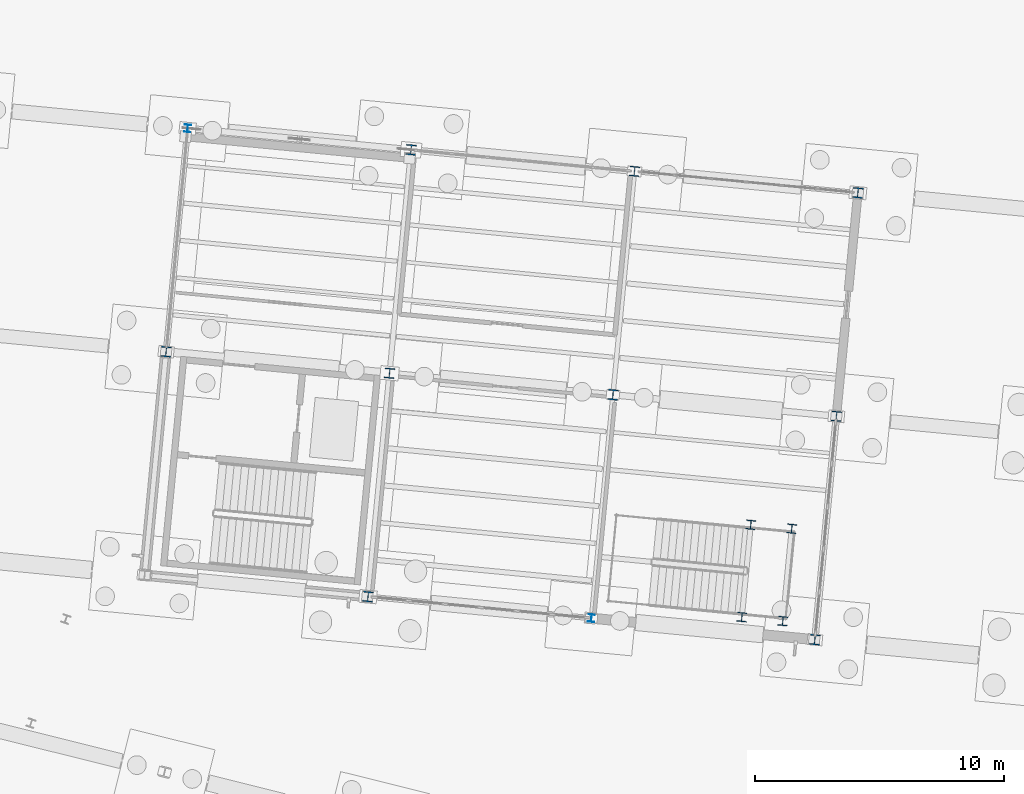
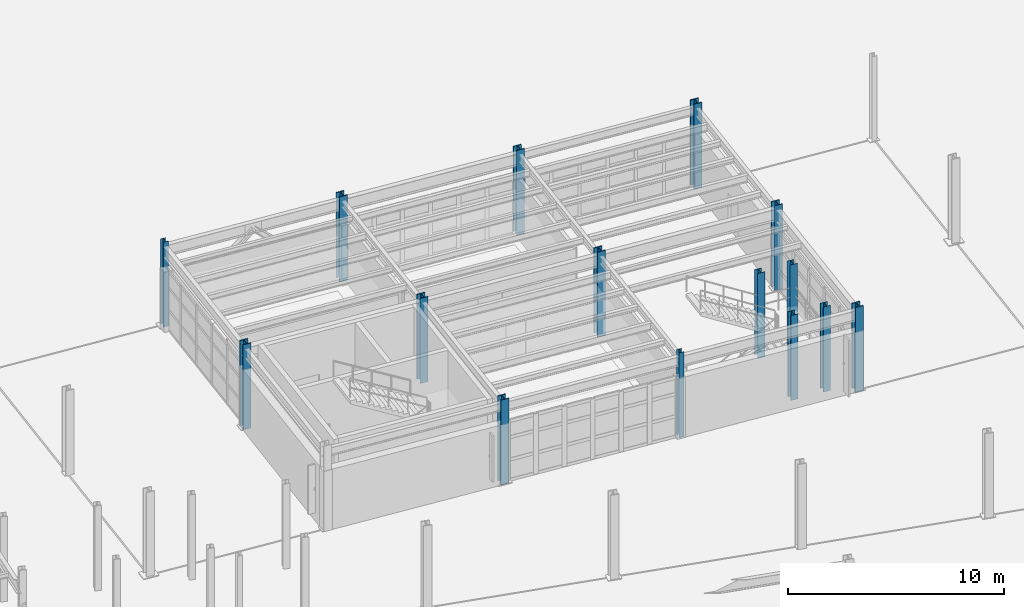
# One storey, part 25 of 108: 15 columns.
"""IFC4 building model written with IfcOpenShell, lengths in metres."""

from ifc_helpers import new_model, si_unit, direction, frame, origin, origin_2d, place, context, subcontext, project, spatial, i_section, extrude, material, material_profile, profile_set, type_object, element, save


model = new_model("IFC4")

# Units and contexts
model_context = context("Model", 3, precision=1e-05, world=origin(), true_north=direction((0.0, 1.0)))
body_context = subcontext(model_context, "Body", "Model", "MODEL_VIEW")
ifc_project = project(units=[si_unit("LENGTHUNIT", "METRE"), si_unit("AREAUNIT", "SQUARE_METRE"), si_unit("VOLUMEUNIT", "CUBIC_METRE"), si_unit("PLANEANGLEUNIT", "RADIAN"), si_unit("MASSUNIT", "GRAM", prefix="KILO")], contexts=[model_context])

# Site, building, storey
site_placement = place(None, origin())
site = spatial("IfcSite", under=ifc_project, at=site_placement, CompositionType="ELEMENT")
building_placement = place(site_placement, origin())
building = spatial("IfcBuilding", under=site, at=building_placement, Name="Vireo Bluff Cable Station", CompositionType="ELEMENT")
storey_placement = place(building_placement, origin())
storey = spatial("IfcBuildingStorey", under=building, at=storey_placement, Name="L00", CompositionType="ELEMENT", Elevation=0.0)

# Columns
ifc_material = material(Name="Steel ASTM A992 Gr. 50", Category="steel")
ifc_material_profile_1 = material_profile(ifc_material, i_section(OverallWidth=0.404052734375, OverallDepth=0.406005859375, WebThickness=0.027099609375, FlangeThickness=0.043701171875, FilletRadius=0.014892578125, at=origin_2d()), Name="W14X233")
ifc_profile_set_1 = profile_set([ifc_material_profile_1], Name="Steel ASTM A992 Gr. 50")
column_type_1 = type_object("IfcColumnType", Name="COL-W14X233", PredefinedType="COLUMN", material=ifc_profile_set_1)
column_1_placement = place(storey_placement, frame((77.559326171875, 75.099853515625, 0.0), z_axis=(0.0, 0.0, 1.0), x_axis=(0.995396198367, -0.09584575252, 0.0)))
element("IfcColumn", 1, at=column_1_placement, inside=storey, type_object=column_type_1, Name="V3 L00 column 213", PredefinedType="COLUMN", context=body_context, shape_type="SweptSolid", body=[
    extrude(i_section(OverallWidth=0.404052734375, OverallDepth=0.406005859375, WebThickness=0.027099609375, FlangeThickness=0.043701171875, FilletRadius=0.014892578125, at=origin_2d()), origin(), (0.0, 0.0, 1.0), 4.800048828125),
])
ifc_material_profile_2 = material_profile(ifc_material, i_section(OverallWidth=0.408935546875, OverallDepth=0.424072265625, WebThickness=0.03271484375, FlangeThickness=0.052490234375, FilletRadius=0.014892578125, at=origin_2d()), Name="W14X283")
ifc_profile_set_2 = profile_set([ifc_material_profile_2], Name="Steel ASTM A992 Gr. 50")
column_type_2 = type_object("IfcColumnType", Name="COL-W14X283", PredefinedType="COLUMN", material=ifc_profile_set_2)
column_2_placement = place(storey_placement, frame((86.517822265625, 74.2373046875, 0.0), z_axis=(0.0, 0.0, 1.0), x_axis=(0.995396198367, -0.09584575252, 0.0)))
element("IfcColumn", 2, at=column_2_placement, inside=storey, type_object=column_type_2, Name="V3 L00 column 222", PredefinedType="COLUMN", context=body_context, shape_type="SweptSolid", body=[
    extrude(i_section(OverallWidth=0.408935546875, OverallDepth=0.424072265625, WebThickness=0.03271484375, FlangeThickness=0.052490234375, FilletRadius=0.014892578125, at=origin_2d()), origin(), (0.0, 0.0, 1.0), 4.800048828125),
])
ifc_material_profile_3 = material_profile(ifc_material, i_section(OverallWidth=0.367919921875, OverallDepth=0.35595703125, WebThickness=0.01123046875, FlangeThickness=0.01806640625, FilletRadius=0.014892578125, at=origin_2d()), Name="W14X90")
ifc_profile_set_3 = profile_set([ifc_material_profile_3], Name="Steel ASTM A992 Gr. 50")
column_type_3 = type_object("IfcColumnType", Name="COL-W14X90", PredefinedType="COLUMN", material=ifc_profile_set_3)
for number, where, z_axis, x_axis, name in (
    (3, (91.68701171875, 65.32080078125, 0.0), (0.0, 0.0, 1.0), (0.995396198367, -0.09584575252, 0.0), "ST-11 L00 landing support column 1"),
    (4, (93.329345703125, 65.16259765625, 0.0), (0.0, 0.0, 1.0), (0.995396198367, -0.09584575252, 0.0), "ST-11 L00 landing support column 2"),
    (5, (92.04345703125, 69.023681640625, 0.0), (0.0, 0.0, 1.0), (0.995396198367, -0.09584575252, 0.0), "ST-11 L00 landing support column 3"),
    (6, (93.68603515625, 68.865478515625, 0.0), (0.0, 0.0, 1.0), (0.995396198367, -0.09584575252, 0.0), "ST-11 L00 landing support column 4"),
):
    element("IfcColumn", number, at=place(storey_placement, frame(where, z_axis=z_axis, x_axis=x_axis)), inside=storey, type_object=column_type_3, Name=name, PredefinedType="COLUMN", context=body_context, shape_type="SweptSolid", body=[
        extrude(i_section(OverallWidth=0.367919921875, OverallDepth=0.35595703125, WebThickness=0.01123046875, FlangeThickness=0.01806640625, FilletRadius=0.014892578125, at=origin_2d()), origin(), (0.0, 0.0, 1.0), 4.800048828125),
    ])
ifc_material_profile_4 = material_profile(ifc_material, i_section(OverallWidth=0.40087890625, OverallDepth=0.39892578125, WebThickness=0.02490234375, FlangeThickness=0.03955078125, FilletRadius=0.014892578125, at=origin_2d()), Name="W14X211")
ifc_profile_set_4 = profile_set([ifc_material_profile_4], Name="Steel ASTM A992 Gr. 50")
column_type_4 = type_object("IfcColumnType", Name="ECOL-W14X211", PredefinedType="COLUMN", material=ifc_profile_set_4)
for number, where, z_axis, x_axis, name in (
    (7, (87.38037109375, 83.19580078125, 0.0), (0.0, 0.0, 1.0), (0.995396198367, -0.09584575252, 0.0), "V3 L00 column 225"),
    (8, (95.476318359375, 73.37451171875, 0.0), (0.0, 0.0, 1.0), (0.995396198367, -0.09584575252, 0.0), "V3 L00 column 231"),
):
    element("IfcColumn", number, at=place(storey_placement, frame(where, z_axis=z_axis, x_axis=x_axis)), inside=storey, type_object=column_type_4, Name=name, PredefinedType="COLUMN", context=body_context, shape_type="SweptSolid", body=[
        extrude(i_section(OverallWidth=0.40087890625, OverallDepth=0.39892578125, WebThickness=0.02490234375, FlangeThickness=0.03955078125, FilletRadius=0.014892578125, at=origin_2d()), origin(), (0.0, 0.0, 1.0), 4.800048828125),
    ])
ifc_material_profile_5 = material_profile(ifc_material, i_section(OverallWidth=0.406005859375, OverallDepth=0.4169921875, WebThickness=0.02978515625, FlangeThickness=0.048095703125, FilletRadius=0.014892578125, at=origin_2d()), Name="W14X257")
ifc_profile_set_5 = profile_set([ifc_material_profile_5], Name="Steel ASTM A992 Gr. 50")
column_type_5 = type_object("IfcColumnType", Name="ECOL-W14X257", PredefinedType="COLUMN", material=ifc_profile_set_5)
for number, where, z_axis, x_axis, name in (
    (9, (68.6005859375, 75.96240234375, 0.0), (0.0, 0.0, 1.0), (0.995396198367, -0.09584575252, 0.0), "V3 L00 column 204"),
    (10, (76.69677734375, 66.141357421875, 0.0), (0.0, 0.0, 1.0), (0.995396198367, -0.09584575252, 0.0), "V3 L00 column 210"),
    (11, (78.421875, 84.058349609375, 0.0), (0.0, 0.0, 1.0), (0.995396198367, -0.09584575252, 0.0), "V3 L00 column 216"),
    (12, (94.61376953125, 64.416015625, 0.0), (0.0, 0.0, 1.0), (0.995396198367, -0.09584575252, 0.0), "V3 L00 column 228"),
    (13, (96.339111328125, 82.333251953125, 0.0), (0.0, 0.0, 1.0), (0.995396198367, -0.09584575252, 0.0), "V3 L00 column 234"),
):
    element("IfcColumn", number, at=place(storey_placement, frame(where, z_axis=z_axis, x_axis=x_axis)), inside=storey, type_object=column_type_5, Name=name, PredefinedType="COLUMN", context=body_context, shape_type="SweptSolid", body=[
        extrude(i_section(OverallWidth=0.406005859375, OverallDepth=0.4169921875, WebThickness=0.02978515625, FlangeThickness=0.048095703125, FilletRadius=0.014892578125, at=origin_2d()), origin(), (0.0, 0.0, 1.0), 4.800048828125),
    ])
ifc_material_profile_6 = material_profile(ifc_material, i_section(OverallWidth=0.25390625, OverallDepth=0.305908203125, WebThickness=0.0087890625, FlangeThickness=0.0146484375, FilletRadius=0.010986328125, at=origin_2d()), Name="W12X53")
ifc_profile_set_6 = profile_set([ifc_material_profile_6], Name="Steel ASTM A992 Gr. 50")
column_type_6 = type_object("IfcColumnType", Name="PIL-W12X53", PredefinedType="PILASTER", material=ifc_profile_set_6)
for number, where, z_axis, x_axis, name in (
    (14, (69.46337890625, 84.9208984375, 0.0), (0.0, 0.0, 1.0), (0.995396198367, -0.09584575252, 0.0), "V3 L00 column 207"),
    (15, (85.6552734375, 65.278564453125, 0.0), (0.0, 0.0, 1.0), (0.995396198367, -0.09584575252, 0.0), "V3 L00 column 219"),
):
    element("IfcColumn", number, at=place(storey_placement, frame(where, z_axis=z_axis, x_axis=x_axis)), inside=storey, type_object=column_type_6, Name=name, PredefinedType="PILASTER", context=body_context, shape_type="SweptSolid", body=[
        extrude(i_section(OverallWidth=0.25390625, OverallDepth=0.305908203125, WebThickness=0.0087890625, FlangeThickness=0.0146484375, FilletRadius=0.010986328125, at=origin_2d()), origin(), (0.0, 0.0, 1.0), 4.800048828125),
    ])

save(model, "model.ifc")
